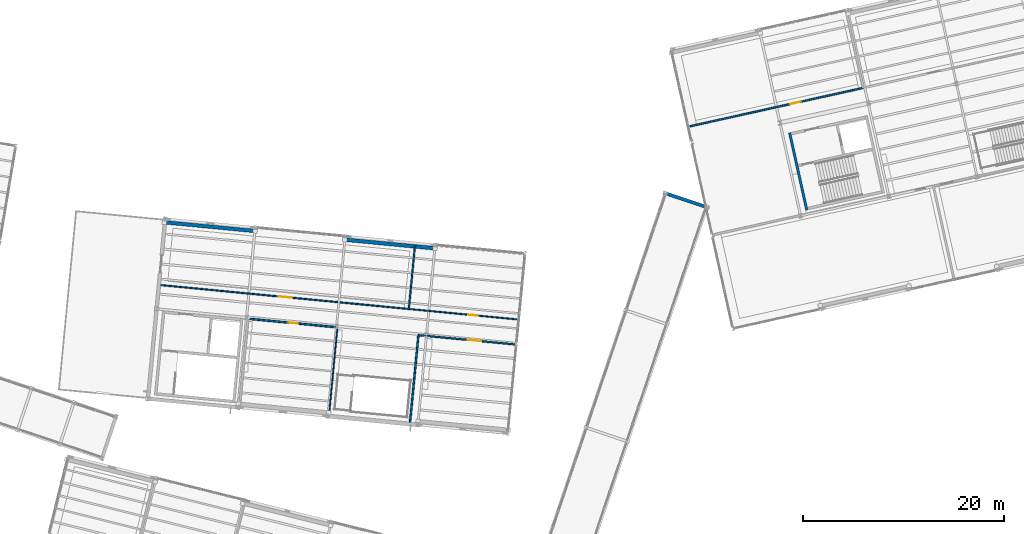
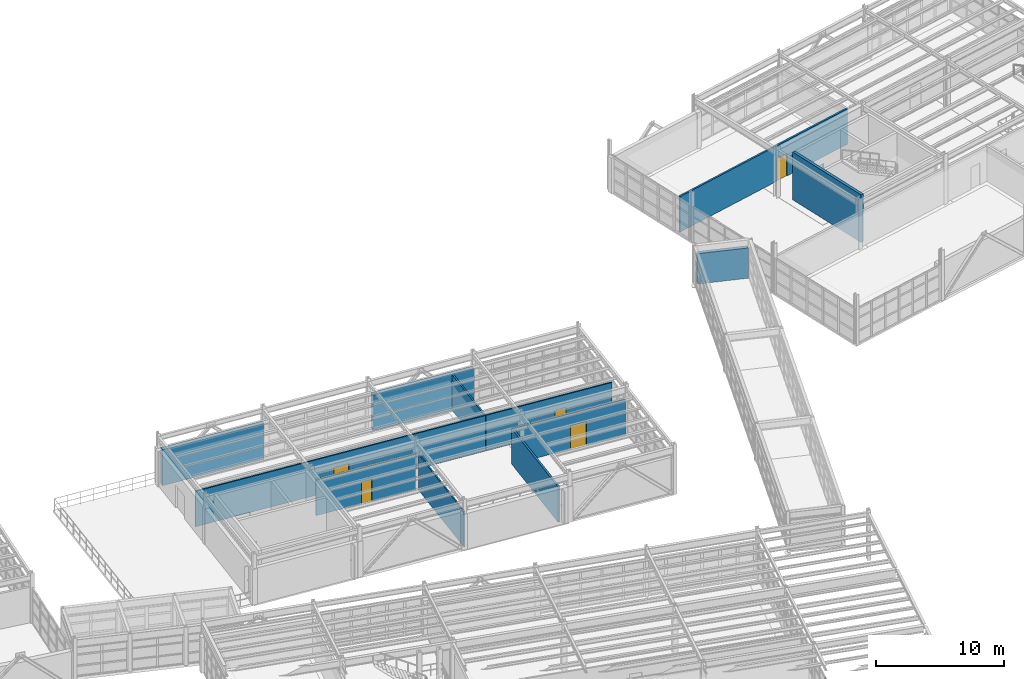
# One storey, part 89 of 102: 12 walls, 5 doors, 5 openings.
"""IFC4 building model written with IfcOpenShell, lengths in metres."""

from ifc_helpers import new_model, si_unit, direction, frame, frame_2d, origin, origin_with_axes, place, context, subcontext, project, spatial, rectangle, extrude, material, layer, layer_set, type_object, element, fill, save


model = new_model("IFC4")

# Units and contexts
model_context = context("Model", 3, precision=1e-05, world=origin(), true_north=direction((0.0, 1.0)))
body_context = subcontext(model_context, "Body", "Model", "MODEL_VIEW")
ifc_project = project(units=[si_unit("LENGTHUNIT", "METRE"), si_unit("AREAUNIT", "SQUARE_METRE"), si_unit("VOLUMEUNIT", "CUBIC_METRE"), si_unit("PLANEANGLEUNIT", "RADIAN"), si_unit("MASSUNIT", "GRAM", prefix="KILO")], contexts=[model_context])

# Site, building, storey
site_placement = place(None, origin())
site = spatial("IfcSite", under=ifc_project, at=site_placement, CompositionType="ELEMENT")
building_placement = place(site_placement, origin())
building = spatial("IfcBuilding", under=site, at=building_placement, Name="Vireo Bluff Cable Station", CompositionType="ELEMENT")
storey_placement = place(building_placement, frame((0.0, 0.0, 9.60009765625)))
storey = spatial("IfcBuildingStorey", under=building, at=storey_placement, Name="L02", CompositionType="ELEMENT", Elevation=9.60009765625)

# Walls
ifc_material_1 = material(Name="Precast concrete f'c 45 MPa", Category="concrete")
ifc_layer_1 = layer(ifc_material_1, 0.330078125, Name="Precast concrete f'c 45 MPa")
ifc_layer_set_1 = layer_set([ifc_layer_1], Name="Precast concrete f'c 45 MPa")
wall_type_1 = type_object("IfcWallType", Name="EW-PRECAST-330", PredefinedType="SOLIDWALL", material=ifc_layer_set_1)
wall_1_placement = place(storey_placement, frame((123.238037109375, 86.14208984375, 0.0), z_axis=(0.0, 0.0, 1.0), x_axis=(-0.947311447292, 0.320313942609, 0.0)))
element("IfcWall", 1, at=wall_1_placement, inside=storey, type_object=wall_type_1, Name="Skybridge HAUL-DRIVE-END-B end wall", PredefinedType="SOLIDWALL", context=body_context, shape_type="SweptSolid", body=[
    extrude(rectangle(XDim=4.048095703125, YDim=0.330078125, at=frame_2d((2.02392578125, 0.0))), origin(), (0.0, 0.0, 1.0), 2.8798828125),
])
ifc_layer_2 = layer(ifc_material_1, 0.360107421875, Name="Precast concrete f'c 45 MPa")
ifc_layer_set_2 = layer_set([ifc_layer_2], Name="Precast concrete f'c 45 MPa")
wall_type_2 = type_object("IfcWallType", Name="EW-PRECAST-360", PredefinedType="SOLIDWALL", material=ifc_layer_set_2)
wall_2_placement = place(storey_placement, frame((69.55908203125, 84.5703125, 0.0), z_axis=(0.0, 0.0, 1.0), x_axis=(0.99539453955, -0.09586297843, 0.0)))
element("IfcWall", 2, at=wall_2_placement, inside=storey, type_object=wall_type_2, Name="V3 L02 north exterior wall 63", PredefinedType="SOLIDWALL", context=body_context, shape_type="SweptSolid", body=[
    extrude(rectangle(XDim=8.71240234375, YDim=0.360107421875, at=frame_2d((4.356201171875, 0.0))), origin(), (0.0, 0.0, 1.0), 3.39990234375),
])
ifc_layer_3 = layer(ifc_material_1, 0.3701171875, Name="Precast concrete f'c 45 MPa")
ifc_layer_set_3 = layer_set([ifc_layer_3], Name="Precast concrete f'c 45 MPa")
wall_type_3 = type_object("IfcWallType", Name="EW-PRECAST-370", PredefinedType="SOLIDWALL", material=ifc_layer_set_3)
wall_3_placement = place(storey_placement, frame((87.503662109375, 82.84228515625, 0.0), z_axis=(0.0, 0.0, 1.0), x_axis=(0.995397794476, -0.095829174848, 0.0)))
element("IfcWall", 3, at=wall_3_placement, inside=storey, type_object=wall_type_3, Name="V3 L02 north exterior wall 64", PredefinedType="SOLIDWALL", context=body_context, shape_type="SweptSolid", body=[
    extrude(rectangle(XDim=8.68505859375, YDim=0.3701171875, at=frame_2d((4.342529296875, 0.0))), origin(), (0.0, 0.0, 1.0), 3.39990234375),
])
ifc_material_2 = material(Name="Fire-Rated Gypsum Board Partition")
ifc_layer_4 = layer(ifc_material_2, 0.110107421875, Name="Fire-Rated Gypsum Board Partition")
ifc_layer_set_4 = layer_set([ifc_layer_4], Name="Fire-Rated Gypsum Board Partition")
wall_type_4 = type_object("IfcWallType", Name="PT-1HR-110", PredefinedType="PARTITIONING", material=ifc_layer_set_4)
wall_4_placement = place(storey_placement, frame((86.588623046875, 73.928955078125, 0.0), z_axis=(0.0, 0.0, 1.0), x_axis=(-0.095853111028, -0.995395489796, 0.0)))
element("IfcWall", 4, at=wall_4_placement, inside=storey, type_object=wall_type_4, Name="V3 L02 Panorama Dining Room E partition", PredefinedType="PARTITIONING", context=body_context, shape_type="SweptSolid", body=[
    extrude(rectangle(XDim=8.530029296875, YDim=0.110107421875, at=frame_2d((4.26513671875, 0.0))), origin(), (0.0, 0.0, 1.0), 3.3798828125),
])

# Wall, opening, door
ifc_layer_5 = layer(ifc_material_2, 0.1201171875, Name="Fire-Rated Gypsum Board Partition")
ifc_layer_set_5 = layer_set([ifc_layer_5], Name="Fire-Rated Gypsum Board Partition")
wall_type_5 = type_object("IfcWallType", Name="PT-1HR-120", PredefinedType="PARTITIONING", material=ifc_layer_set_5)
wall_5_placement = place(storey_placement, frame((104.495849609375, 74.917236328125, 0.0), z_axis=(0.0, 0.0, 1.0), x_axis=(-0.99539640632, 0.095843592818, 0.0)))
wall_5 = element("IfcWall", 5, at=wall_5_placement, inside=storey, type_object=wall_type_5, Name="V3 L02 Restaurant Kitchen S partition", PredefinedType="PARTITIONING", context=body_context, shape_type="SweptSolid", body=[
    extrude(rectangle(XDim=10.780029296875, YDim=0.1201171875, at=frame_2d((5.39013671875, 0.0))), origin(), (0.0, 0.0, 1.0), 3.3798828125),
])
opening_1_placement = place(wall_5_placement, frame((3.924072265625, 0.0, 0.0)))
opening_1 = element("IfcOpeningElement", 6, at=opening_1_placement, cuts=wall_5, Name="Opening D-0085", PredefinedType="OPENING", context=body_context, shape_type="SweptSolid", body=[
    extrude(rectangle(XDim=0.949951171875, YDim=2.14990234375, at=frame_2d((0.47509765625, 1.074951171875))), frame((0.0, 0.070068359375, 0.0), z_axis=(0.0, -1.0, 0.0), x_axis=(1.0, 0.0, 0.0)), (0.0, 0.0, 1.0), 0.14013671875),
])
ifc_material_3 = material(Name="Anodized Aluminium 6063-T6", Category="aluminium")
door_type_1 = type_object("IfcDoorType", Name="IDOOR60-950X2150", OperationType="NOTDEFINED", PredefinedType="DOOR", material=ifc_material_3)
door_1_placement = place(opening_1_placement, origin_with_axes())
door_1 = element("IfcDoor", 7, at=door_1_placement, inside=storey, type_object=door_type_1, Name="V3 L02 Restaurant Kitchen door D-0085", OperationType="SINGLE_SWING_RIGHT", OverallHeight=2.14990234375, OverallWidth=0.949951171875, PredefinedType="DOOR", context=body_context, shape_type="SweptSolid", body=[
    extrude(rectangle(XDim=0.949951171875, YDim=2.14990234375, at=frame_2d((0.47509765625, 1.074951171875))), frame((0.0, 0.02490234375, 0.0), z_axis=(0.0, -1.0, 0.0), x_axis=(1.0, 0.0, 0.0)), (0.0, 0.0, 1.0), 0.050048828125),
])
fill(opening_1, door_1)

ifc_layer_6 = layer(ifc_material_2, 0.1298828125, Name="Fire-Rated Gypsum Board Partition")
ifc_layer_set_6 = layer_set([ifc_layer_6], Name="Fire-Rated Gypsum Board Partition")
wall_type_6 = type_object("IfcWallType", Name="PT-1HR-130", PredefinedType="PARTITIONING", material=ifc_layer_set_6)
wall_6_placement = place(storey_placement, frame((93.715576171875, 75.955322265625, 0.0), z_axis=(0.0, 0.0, 1.0), x_axis=(-0.995396031197, 0.095847488636, 0.0)))
wall_6 = element("IfcWall", 8, at=wall_6_placement, inside=storey, type_object=wall_type_6, Name="V3 L02 Viewing Restaurant S partition", PredefinedType="PARTITIONING", context=body_context, shape_type="SweptSolid", body=[
    extrude(rectangle(XDim=24.829833984375, YDim=0.1298828125, at=frame_2d((12.4150390625, 0.0))), origin(), (0.0, 0.0, 1.0), 3.3798828125),
])
opening_2_placement = place(wall_6_placement, frame((11.7099609375, 0.0, 0.0)))
opening_2 = element("IfcOpeningElement", 9, at=opening_2_placement, cuts=wall_6, Name="Opening D-0082", PredefinedType="OPENING", context=body_context, shape_type="SweptSolid", body=[
    extrude(rectangle(XDim=1.280029296875, YDim=2.199951171875, at=frame_2d((0.64013671875, 1.10009765625))), frame((0.0, 0.074951171875, 0.0), z_axis=(0.0, -1.0, 0.0), x_axis=(1.0, 0.0, 0.0)), (0.0, 0.0, 1.0), 0.14990234375),
])
door_type_2 = type_object("IfcDoorType", Name="IDOOR60-1280X2200", OperationType="NOTDEFINED", PredefinedType="DOOR", material=ifc_material_3)
door_2_placement = place(opening_2_placement, origin_with_axes())
door_2 = element("IfcDoor", 10, at=door_2_placement, inside=storey, type_object=door_type_2, Name="V3 L02 Viewing Restaurant door D-0082", OperationType="SINGLE_SWING_LEFT", OverallHeight=2.199951171875, OverallWidth=1.280029296875, PredefinedType="DOOR", context=body_context, shape_type="SweptSolid", body=[
    extrude(rectangle(XDim=1.280029296875, YDim=2.199951171875, at=frame_2d((0.64013671875, 1.10009765625))), frame((0.0, 0.02490234375, 0.0), z_axis=(0.0, -1.0, 0.0), x_axis=(1.0, 0.0, 0.0)), (0.0, 0.0, 1.0), 0.050048828125),
])
fill(opening_2, door_2)

# Wall
ifc_layer_7 = layer(ifc_material_2, 0.139892578125, Name="Fire-Rated Gypsum Board Partition")
ifc_layer_set_7 = layer_set([ifc_layer_7], Name="Fire-Rated Gypsum Board Partition")
wall_type_7 = type_object("IfcWallType", Name="PT-1HR-140", PredefinedType="PARTITIONING", material=ifc_layer_set_7)
wall_7_placement = place(storey_placement, frame((94.33203125, 82.355712890625, 0.0), z_axis=(0.0, 0.0, 1.0), x_axis=(-0.095871571659, -0.995393711929, 0.0)))
element("IfcWall", 11, at=wall_7_placement, inside=storey, type_object=wall_type_7, Name="V3 L02 Viewing Restaurant E partition", PredefinedType="PARTITIONING", context=body_context, shape_type="SweptSolid", body=[
    extrude(rectangle(XDim=6.429931640625, YDim=0.139892578125, at=frame_2d((3.21484375, 0.0))), origin(), (0.0, 0.0, 1.0), 3.3798828125),
])

# Wall, opening, door
ifc_layer_8 = layer(ifc_material_2, 0.14990234375, Name="Fire-Rated Gypsum Board Partition")
ifc_layer_set_8 = layer_set([ifc_layer_8], Name="Fire-Rated Gypsum Board Partition")
wall_type_8 = type_object("IfcWallType", Name="PT-1HR-150", PredefinedType="PARTITIONING", material=ifc_layer_set_8)
wall_8_placement = place(storey_placement, frame((94.67041015625, 73.351806640625, 0.0), z_axis=(0.0, 0.0, 1.0), x_axis=(0.995395223339, -0.095855878039, 0.0)))
wall_8 = element("IfcWall", 12, at=wall_8_placement, inside=storey, type_object=wall_type_8, Name="V3 L02 Panorama Bar and Servery N partition", PredefinedType="PARTITIONING", context=body_context, shape_type="SweptSolid", body=[
    extrude(rectangle(XDim=9.630126953125, YDim=0.14990234375, at=frame_2d((4.81494140625, 0.0))), origin(), (0.0, 0.0, 1.0), 3.3798828125),
])
opening_3_placement = place(wall_8_placement, frame((4.926513671875, 0.0, 0.0)))
opening_3 = element("IfcOpeningElement", 13, at=opening_3_placement, cuts=wall_8, Name="Opening D-0083", PredefinedType="OPENING", context=body_context, shape_type="SweptSolid", body=[
    extrude(rectangle(XDim=1.3798828125, YDim=2.219970703125, at=frame_2d((0.68994140625, 1.10986328125))), frame((0.0, 0.0849609375, 0.0), z_axis=(0.0, -1.0, 0.0), x_axis=(1.0, 0.0, 0.0)), (0.0, 0.0, 1.0), 0.169921875),
])
door_type_3 = type_object("IfcDoorType", Name="IDOOR60-1380X2220", OperationType="NOTDEFINED", PredefinedType="DOOR", material=ifc_material_3)
door_3_placement = place(opening_3_placement, origin_with_axes())
door_3 = element("IfcDoor", 14, at=door_3_placement, inside=storey, type_object=door_type_3, Name="V3 L02 Panorama Bar and Servery door D-0083", OperationType="SINGLE_SWING_RIGHT", OverallHeight=2.219970703125, OverallWidth=1.3798828125, PredefinedType="DOOR", context=body_context, shape_type="SweptSolid", body=[
    extrude(rectangle(XDim=1.3798828125, YDim=2.219970703125, at=frame_2d((0.68994140625, 1.10986328125))), frame((0.0, 0.02490234375, 0.0), z_axis=(0.0, -1.0, 0.0), x_axis=(1.0, 0.0, 0.0)), (0.0, 0.0, 1.0), 0.050048828125),
])
fill(opening_3, door_3)

# Wall
ifc_layer_9 = layer(ifc_material_2, 0.1650390625, Name="Fire-Rated Gypsum Board Partition")
ifc_layer_set_9 = layer_set([ifc_layer_9], Name="Fire-Rated Gypsum Board Partition")
wall_type_9 = type_object("IfcWallType", Name="PT-1HR-165", PredefinedType="PARTITIONING", material=ifc_layer_set_9)
wall_9_placement = place(storey_placement, frame((93.833740234375, 64.661865234375, 0.0), z_axis=(0.0, 0.0, 1.0), x_axis=(0.095837096923, 0.995397031768, 0.0)))
element("IfcWall", 15, at=wall_9_placement, inside=storey, type_object=wall_type_9, Name="V3 L02 Panorama Bar and Servery W partition", PredefinedType="PARTITIONING", context=body_context, shape_type="SweptSolid", body=[
    extrude(rectangle(XDim=8.730224609375, YDim=0.1650390625, at=frame_2d((4.365234375, 0.0))), origin(), (0.0, 0.0, 1.0), 3.3798828125),
])

# Wall, opening, door
ifc_layer_10 = layer(ifc_material_2, 0.175048828125, Name="Fire-Rated Gypsum Board Partition")
ifc_layer_set_10 = layer_set([ifc_layer_10], Name="Fire-Rated Gypsum Board Partition")
wall_type_10 = type_object("IfcWallType", Name="PT-1HR-175", PredefinedType="PARTITIONING", material=ifc_layer_set_10)
wall_10_placement = place(storey_placement, frame((77.898193359375, 74.966796875, 0.0), z_axis=(0.0, 0.0, 1.0), x_axis=(0.995394944933, -0.095858769045, 0.0)))
wall_10 = element("IfcWall", 16, at=wall_10_placement, inside=storey, type_object=wall_type_10, Name="V3 L02 Panorama Dining Room N partition", PredefinedType="PARTITIONING", context=body_context, shape_type="SweptSolid", body=[
    extrude(rectangle(XDim=8.5498046875, YDim=0.175048828125, at=frame_2d((4.27490234375, 0.0))), origin(), (0.0, 0.0, 1.0), 3.3798828125),
])
opening_4_placement = place(wall_10_placement, frame((3.875, 0.0, 0.0)))
opening_4 = element("IfcOpeningElement", 17, at=opening_4_placement, cuts=wall_10, Name="Opening D-0084", PredefinedType="OPENING", context=body_context, shape_type="SweptSolid", body=[
    extrude(rectangle(XDim=0.89990234375, YDim=2.10009765625, at=frame_2d((0.449951171875, 1.050048828125))), frame((0.0, 0.09765625, 0.0), z_axis=(0.0, -1.0, 0.0), x_axis=(1.0, 0.0, 0.0)), (0.0, 0.0, 1.0), 0.195068359375),
])
door_type_4 = type_object("IfcDoorType", Name="IDOOR60-900X2100", OperationType="NOTDEFINED", PredefinedType="DOOR", material=ifc_material_3)
door_4_placement = place(opening_4_placement, origin_with_axes())
door_4 = element("IfcDoor", 18, at=door_4_placement, inside=storey, type_object=door_type_4, Name="V3 L02 Panorama Dining Room door D-0084", OperationType="SINGLE_SWING_LEFT", OverallHeight=2.10009765625, OverallWidth=0.89990234375, PredefinedType="DOOR", context=body_context, shape_type="SweptSolid", body=[
    extrude(rectangle(XDim=0.89990234375, YDim=2.10009765625, at=frame_2d((0.449951171875, 1.050048828125))), frame((0.0, 0.02490234375, 0.0), z_axis=(0.0, -1.0, 0.0), x_axis=(1.0, 0.0, 0.0)), (0.0, 0.0, 1.0), 0.050048828125),
])
fill(opening_4, door_4)

ifc_layer_11 = layer(ifc_material_2, 0.159912109375, Name="Fire-Rated Gypsum Board Partition")
ifc_layer_set_11 = layer_set([ifc_layer_11], Name="Fire-Rated Gypsum Board Partition")
wall_type_11 = type_object("IfcWallType", Name="PT-2HR-160", PredefinedType="PARTITIONING", material=ifc_layer_set_11)
wall_11_placement = place(storey_placement, frame((138.96826171875, 97.97509765625, 0.0), z_axis=(0.0, 0.0, 1.0), x_axis=(-0.976296107332, -0.216439161912, 0.0)))
wall_11 = element("IfcWall", 19, at=wall_11_placement, inside=storey, type_object=wall_type_11, Name="V2 L02 Auxiliary Evacuation Drive Room S partition", PredefinedType="PARTITIONING", context=body_context, shape_type="SweptSolid", body=[
    extrude(rectangle(XDim=17.68017578125, YDim=0.159912109375, at=frame_2d((8.840087890625, 0.0))), origin(), (0.0, 0.0, 1.0), 3.3798828125),
])
opening_5_placement = place(wall_11_placement, frame((6.3779296875, 0.0, 0.0)))
opening_5 = element("IfcOpeningElement", 20, at=opening_5_placement, cuts=wall_11, Name="Opening D-0069", PredefinedType="OPENING", context=body_context, shape_type="SweptSolid", body=[
    extrude(rectangle(XDim=1.050048828125, YDim=2.14990234375, at=frame_2d((0.52490234375, 1.074951171875))), frame((0.0, 0.08984375, 0.0), z_axis=(0.0, -1.0, 0.0), x_axis=(1.0, 0.0, 0.0)), (0.0, 0.0, 1.0), 0.179931640625),
])
ifc_material_4 = material(Name="Stainless Steel 316", Category="steel")
door_type_5 = type_object("IfcDoorType", Name="IDOOR90-1050X2150", OperationType="NOTDEFINED", PredefinedType="DOOR", material=ifc_material_4)
door_5_placement = place(opening_5_placement, origin_with_axes())
door_5 = element("IfcDoor", 21, at=door_5_placement, inside=storey, type_object=door_type_5, Name="V2 L02 Auxiliary Evacuation Drive Room door D-0069", OperationType="SINGLE_SWING_RIGHT", OverallHeight=2.14990234375, OverallWidth=1.050048828125, PredefinedType="DOOR", context=body_context, shape_type="SweptSolid", body=[
    extrude(rectangle(XDim=1.050048828125, YDim=2.14990234375, at=frame_2d((0.52490234375, 1.074951171875))), frame((0.0, 0.02490234375, 0.0), z_axis=(0.0, -1.0, 0.0), x_axis=(1.0, 0.0, 0.0)), (0.0, 0.0, 1.0), 0.050048828125),
])
fill(opening_5, door_5)

# Wall
ifc_material_5 = material(Name="Concrete f'c 40 MPa", Category="concrete")
ifc_layer_12 = layer(ifc_material_5, 0.25, Name="Concrete f'c 40 MPa")
ifc_layer_set_12 = layer_set([ifc_layer_12], Name="Concrete f'c 40 MPa")
wall_type_12 = type_object("IfcWallType", Name="SW-CORE-250", PredefinedType="SHEAR", material=ifc_layer_set_12)
wall_12_placement = place(storey_placement, frame((133.343017578125, 85.809326171875, 0.0), z_axis=(0.0, 0.0, 1.0), x_axis=(-0.216432105695, 0.976297671627, 0.0)))
element("IfcWall", 22, at=wall_12_placement, inside=storey, type_object=wall_type_12, Name="CORE-4 L02 core W shear wall", PredefinedType="SHEAR", context=body_context, shape_type="SweptSolid", body=[
    extrude(rectangle(XDim=7.885009765625, YDim=0.25, at=frame_2d((3.9423828125, 0.0))), origin(), (0.0, 0.0, 1.0), 4.539794921875),
])

save(model, "model.ifc")
